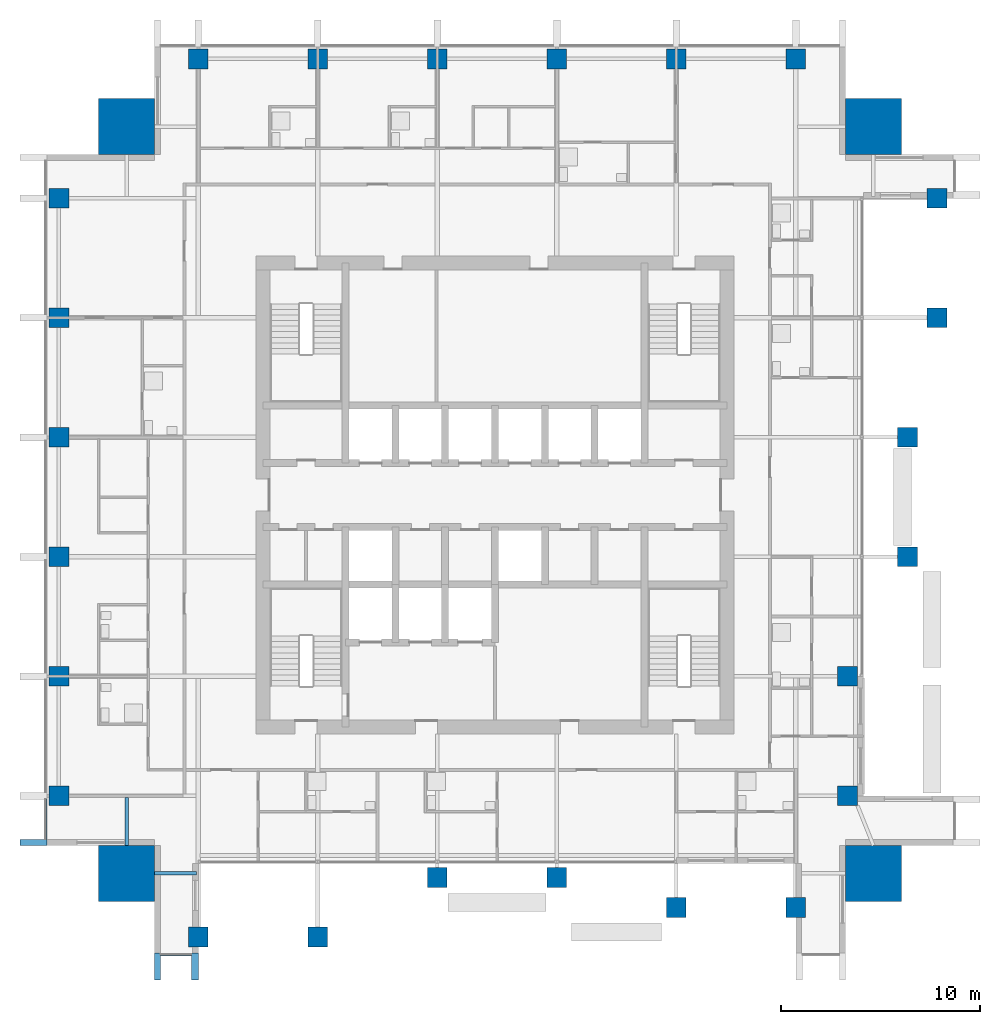
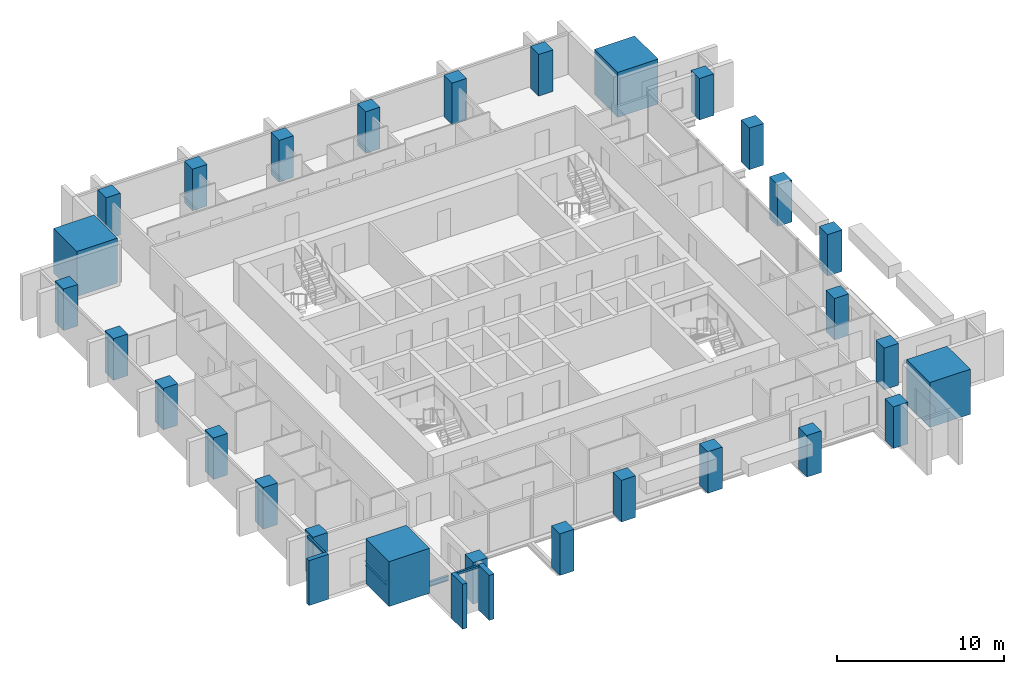
# One storey, part 1 of 14: 28 columns, 5 members, 2 beams, 2 elements without a shape of their own.
"""IFC4 building model written with IfcOpenShell, lengths in metres."""

from ifc_helpers import new_model, si_unit, direction, frame, origin, origin_2d, place, context, subcontext, project, spatial, rectangle, i_section, extrude, material, material_profile, profile_set, type_object, element, aggregate, save


model = new_model("IFC4")

# Units and contexts
model_context = context("Model", 3, precision=1e-05, world=origin(), true_north=direction((0.0, 1.0)))
body_context = subcontext(model_context, "Body", "Model", "MODEL_VIEW")
ifc_project = project(units=[si_unit("LENGTHUNIT", "METRE"), si_unit("AREAUNIT", "SQUARE_METRE"), si_unit("VOLUMEUNIT", "CUBIC_METRE"), si_unit("PLANEANGLEUNIT", "RADIAN"), si_unit("MASSUNIT", "GRAM", prefix="KILO")], contexts=[model_context])

# Site, building, storey
site_placement = place(None, origin())
site = spatial("IfcSite", under=ifc_project, at=site_placement, CompositionType="ELEMENT")
building_placement = place(site_placement, origin())
building = spatial("IfcBuilding", under=site, at=building_placement, Name="Amberfall Residences", CompositionType="ELEMENT")
storey_placement = place(building_placement, frame((0.0, 0.0, 168.10009765625)))
storey = spatial("IfcBuildingStorey", under=building, at=storey_placement, Name="L45", CompositionType="ELEMENT", Elevation=168.10009765625)

# Columns
ifc_material_1 = material(Name="Concrete C60", Category="concrete")
ifc_material_profile_1 = material_profile(ifc_material_1, rectangle(XDim=1.0, YDim=1.0, at=origin_2d()), Name="Column 1000 x 1000 C60")
ifc_profile_set_1 = profile_set([ifc_material_profile_1], Name="Concrete C60")
column_type_1 = type_object("IfcColumnType", Name="Column 1000 x 1000 C60", PredefinedType="COLUMN", material=ifc_profile_set_1)
for number, where, z_axis, x_axis, name in (
    (1, (59.60009765625, 23.300048828125, 0.0), (0.0, 0.0, 1.0), (1.0, 0.0, 0.0), "Column C3 L45 S1"),
    (2, (65.60009765625, 23.300048828125, 0.0), (0.0, 0.0, 1.0), (1.0, 0.0, 0.0), "Column C3 L45 S2"),
    (3, (71.60009765625, 26.300048828125, 0.0), (0.0, 0.0, 1.0), (1.0, 0.0, 0.0), "Column C3 L45 S3"),
    (4, (77.60009765625, 26.300048828125, 0.0), (0.0, 0.0, 1.0), (1.0, 0.0, 0.0), "Column C3 L45 S4"),
    (5, (83.60009765625, 24.800048828125, 0.0), (0.0, 0.0, 1.0), (1.0, 0.0, 0.0), "Column C3 L45 S5"),
    (6, (89.60009765625, 24.800048828125, 0.0), (0.0, 0.0, 1.0), (1.0, 0.0, 0.0), "Column C3 L45 S6"),
    (7, (92.199951171875, 30.39990234375, 0.0), (0.0, 0.0, 1.0), (1.0, 0.0, 0.0), "Column C3 L45 E1"),
    (8, (92.199951171875, 36.39990234375, 0.0), (0.0, 0.0, 1.0), (1.0, 0.0, 0.0), "Column C3 L45 E2"),
    (9, (95.199951171875, 42.39990234375, 0.0), (0.0, 0.0, 1.0), (1.0, 0.0, 0.0), "Column C3 L45 E3"),
    (10, (95.199951171875, 48.39990234375, 0.0), (0.0, 0.0, 1.0), (1.0, 0.0, 0.0), "Column C3 L45 E4"),
    (11, (96.699951171875, 54.39990234375, 0.0), (0.0, 0.0, 1.0), (1.0, 0.0, 0.0), "Column C3 L45 E5"),
    (12, (96.699951171875, 60.39990234375, 0.0), (0.0, 0.0, 1.0), (1.0, 0.0, 0.0), "Column C3 L45 E6"),
    (13, (59.60009765625, 67.39990234375, 0.0), (0.0, 0.0, 1.0), (1.0, 0.0, 0.0), "Column C3 L45 N1"),
    (14, (65.60009765625, 67.39990234375, 0.0), (0.0, 0.0, 1.0), (1.0, 0.0, 0.0), "Column C3 L45 N2"),
    (15, (71.60009765625, 67.39990234375, 0.0), (0.0, 0.0, 1.0), (1.0, 0.0, 0.0), "Column C3 L45 N3"),
    (16, (77.60009765625, 67.39990234375, 0.0), (0.0, 0.0, 1.0), (1.0, 0.0, 0.0), "Column C3 L45 N4"),
    (17, (83.60009765625, 67.39990234375, 0.0), (0.0, 0.0, 1.0), (1.0, 0.0, 0.0), "Column C3 L45 N5"),
    (18, (89.60009765625, 67.39990234375, 0.0), (0.0, 0.0, 1.0), (1.0, 0.0, 0.0), "Column C3 L45 N6"),
    (19, (52.60009765625, 30.39990234375, 0.0), (0.0, 0.0, 1.0), (1.0, 0.0, 0.0), "Column C3 L45 W1"),
    (20, (52.60009765625, 36.39990234375, 0.0), (0.0, 0.0, 1.0), (1.0, 0.0, 0.0), "Column C3 L45 W2"),
    (21, (52.60009765625, 42.39990234375, 0.0), (0.0, 0.0, 1.0), (1.0, 0.0, 0.0), "Column C3 L45 W3"),
    (22, (52.60009765625, 48.39990234375, 0.0), (0.0, 0.0, 1.0), (1.0, 0.0, 0.0), "Column C3 L45 W4"),
    (23, (52.60009765625, 54.39990234375, 0.0), (0.0, 0.0, 1.0), (1.0, 0.0, 0.0), "Column C3 L45 W5"),
    (24, (52.60009765625, 60.39990234375, 0.0), (0.0, 0.0, 1.0), (1.0, 0.0, 0.0), "Column C3 L45 W6"),
):
    element("IfcColumn", number, at=place(storey_placement, frame(where, z_axis=z_axis, x_axis=x_axis)), inside=storey, type_object=column_type_1, Name=name, PredefinedType="COLUMN", context=body_context, shape_type="SweptSolid", body=[
        extrude(rectangle(XDim=1.0, YDim=1.0, at=origin_2d()), origin(), (0.0, 0.0, 1.0), 3.0498046875),
    ])
ifc_material_profile_2 = material_profile(ifc_material_1, rectangle(XDim=2.800048828125, YDim=2.800048828125, at=origin_2d()), Name="Mega column 2800 x 2800 C60")
ifc_profile_set_2 = profile_set([ifc_material_profile_2], Name="Concrete C60")
column_type_2 = type_object("IfcColumnType", Name="Mega column 2800 x 2800 C60", PredefinedType="COLUMN", material=ifc_profile_set_2)
for number, where, z_axis, x_axis, name in (
    (25, (56.0, 26.5, 0.0), (0.0, 0.0, 1.0), (1.0, 0.0, 0.0), "Mega column MC5 L45 SW"),
    (26, (93.5, 26.5, 0.0), (0.0, 0.0, 1.0), (1.0, 0.0, 0.0), "Mega column MC5 L45 SE"),
    (27, (93.5, 64.0, 0.0), (0.0, 0.0, 1.0), (1.0, 0.0, 0.0), "Mega column MC5 L45 NE"),
    (28, (56.0, 64.0, 0.0), (0.0, 0.0, 1.0), (1.0, 0.0, 0.0), "Mega column MC5 L45 NW"),
):
    element("IfcColumn", number, at=place(storey_placement, frame(where, z_axis=z_axis, x_axis=x_axis)), inside=storey, type_object=column_type_2, Name=name, PredefinedType="COLUMN", context=body_context, shape_type="SweptSolid", body=[
        extrude(rectangle(XDim=2.800048828125, YDim=2.800048828125, at=origin_2d()), origin(), (0.0, 0.0, 1.0), 3.2998046875),
    ])

# Curtain wall, member
ifc_material_2 = material(Name="Bronze anodised aluminium and glass", Category="aluminium")
curtain_wall_type = type_object("IfcCurtainWallType", Name="Curtain wall CW1 tower unit", PredefinedType="USERDEFINED", material=ifc_material_2)
curtain_wall_1_placement = place(storey_placement, origin())
curtain_wall_1 = element("IfcCurtainWall", 29, at=curtain_wall_1_placement, inside=storey, type_object=curtain_wall_type, Name="Curtain wall L45 S S1", ObjectType="UNITISED CURTAIN WALL", PredefinedType="USERDEFINED")
ifc_material_3 = material(Name="Bronze anodised aluminium", Category="aluminium")
ifc_material_profile_3 = material_profile(ifc_material_3, rectangle(XDim=0.14990234375, YDim=0.14990234375, at=origin_2d()), Name="CW1 transom 150 x 150 bronze")
ifc_profile_set_3 = profile_set([ifc_material_profile_3], Name="Bronze anodised aluminium")
member_type_1 = type_object("IfcMemberType", Name="CW1 transom 150 x 150 bronze", PredefinedType="USERDEFINED", material=ifc_profile_set_3)
member_1_placement = place(storey_placement, frame((57.699951171875, 22.425048828125, 2.974853515625), z_axis=(1.0, 0.0, 0.0), x_axis=(0.0, 1.0, 0.0)))
member_1 = element("IfcMember", 30, at=member_1_placement, type_object=member_type_1, Name="CW1 transom 1.1", ObjectType="TRANSOM", PredefinedType="USERDEFINED", context=body_context, shape_type="SweptSolid", body=[
    extrude(rectangle(XDim=0.14990234375, YDim=0.14990234375, at=origin_2d()), origin(), (0.0, 0.0, 1.0), 1.550048828125),
])

curtain_wall_2_placement = place(storey_placement, origin())
curtain_wall_2 = element("IfcCurtainWall", 31, at=curtain_wall_2_placement, inside=storey, type_object=curtain_wall_type, Name="Curtain wall L45 W W1", ObjectType="UNITISED CURTAIN WALL", PredefinedType="USERDEFINED")
member_2_placement = place(storey_placement, frame((51.925048828125, 30.22509765625, 2.974853515625), z_axis=(0.0, -1.0, 0.0), x_axis=(1.0, 0.0, 0.0)))
member_2 = element("IfcMember", 32, at=member_2_placement, type_object=member_type_1, Name="CW1 transom 7.1", ObjectType="TRANSOM", PredefinedType="USERDEFINED", context=body_context, shape_type="SweptSolid", body=[
    extrude(rectangle(XDim=0.14990234375, YDim=0.14990234375, at=origin_2d()), origin(), (0.0, 0.0, 1.0), 2.025146484375),
])

# Member
ifc_material_profile_4 = material_profile(ifc_material_3, rectangle(XDim=1.35009765625, YDim=0.300048828125, at=origin_2d()), Name="Corner fin 300 x 1350 bronze")
ifc_profile_set_4 = profile_set([ifc_material_profile_4], Name="Bronze anodised aluminium")
member_type_2 = type_object("IfcMemberType", Name="Corner fin 300 x 1350 bronze", PredefinedType="MULLION", material=ifc_profile_set_4)
member_3_placement = place(storey_placement, frame((57.550048828125, 21.824951171875, -0.25), z_axis=(0.0, 0.0, 1.0), x_axis=(0.0, 1.0, 0.0)))
member_3 = element("IfcMember", 33, at=member_3_placement, type_object=member_type_2, Name="CW FIN 1", PredefinedType="MULLION", context=body_context, shape_type="SweptSolid", body=[
    extrude(rectangle(XDim=1.35009765625, YDim=0.300048828125, at=origin_2d()), origin(), (0.0, 0.0, 1.0), 3.2998046875),
])

member_4_placement = place(storey_placement, frame((51.324951171875, 28.050048828125, -0.25), z_axis=(0.0, 0.0, 1.0), x_axis=(1.0, 0.0, 0.0)))
member_4 = element("IfcMember", 34, at=member_4_placement, type_object=member_type_2, Name="CW FIN 8", PredefinedType="MULLION", context=body_context, shape_type="SweptSolid", body=[
    extrude(rectangle(XDim=1.35009765625, YDim=0.300048828125, at=origin_2d()), origin(), (0.0, 0.0, 1.0), 3.2998046875),
])

aggregate(curtain_wall_2, [member_4, member_2])

ifc_material_profile_5 = material_profile(ifc_material_3, rectangle(XDim=1.35009765625, YDim=0.35009765625, at=origin_2d()), Name="Fin 350 x 1350 bronze")
ifc_profile_set_5 = profile_set([ifc_material_profile_5], Name="Bronze anodised aluminium")
member_type_3 = type_object("IfcMemberType", Name="Fin 350 x 1350 bronze", PredefinedType="MULLION", material=ifc_profile_set_5)
member_5_placement = place(storey_placement, frame((59.425048828125, 21.824951171875, -0.25), z_axis=(0.0, 0.0, 1.0), x_axis=(0.0, 1.0, 0.0)))
member_5 = element("IfcMember", 35, at=member_5_placement, type_object=member_type_3, Name="CW FIN 2", PredefinedType="MULLION", context=body_context, shape_type="SweptSolid", body=[
    extrude(rectangle(XDim=1.35009765625, YDim=0.35009765625, at=origin_2d()), origin(), (0.0, 0.0, 1.0), 3.2998046875),
])

aggregate(curtain_wall_1, [member_3, member_5, member_1])

# Beams
ifc_material_4 = material(Name="Steel S355", Category="steel")
ifc_material_profile_6 = material_profile(ifc_material_4, i_section(OverallWidth=0.171142578125, OverallDepth=0.351318359375, WebThickness=0.007080078125, FlangeThickness=0.009765625, FilletRadius=0.01025390625, at=origin_2d()), Name="UB 356x171x45")
ifc_profile_set_6 = profile_set([ifc_material_profile_6], Name="Steel S355")
beam_type = type_object("IfcBeamType", Name="Link beam UB 356x171x45", PredefinedType="BEAM", material=ifc_profile_set_6)
beam_1_placement = place(storey_placement, frame((57.39990234375, 26.5, -0.42578125), z_axis=(1.0, 0.0, 0.0), x_axis=(0.0, 1.0, 0.0)))
element("IfcBeam", 36, at=beam_1_placement, inside=storey, type_object=beam_type, Name="Link beam B7 L45 45", PredefinedType="BEAM", context=body_context, shape_type="SweptSolid", body=[
    extrude(i_section(OverallWidth=0.171142578125, OverallDepth=0.351318359375, WebThickness=0.007080078125, FlangeThickness=0.009765625, FilletRadius=0.01025390625, at=origin_2d()), origin(), (0.0, 0.0, 1.0), 2.104736328125),
])
beam_2_placement = place(storey_placement, frame((56.0, 27.89990234375, -0.42578125), z_axis=(0.0, 1.0, 0.0), x_axis=(-1.0, 0.0, 0.0)))
element("IfcBeam", 37, at=beam_2_placement, inside=storey, type_object=beam_type, Name="Link beam B7 L45 46", PredefinedType="BEAM", context=body_context, shape_type="SweptSolid", body=[
    extrude(i_section(OverallWidth=0.171142578125, OverallDepth=0.351318359375, WebThickness=0.007080078125, FlangeThickness=0.009765625, FilletRadius=0.01025390625, at=origin_2d()), origin(), (0.0, 0.0, 1.0), 2.42138671875),
])

save(model, "model.ifc")
